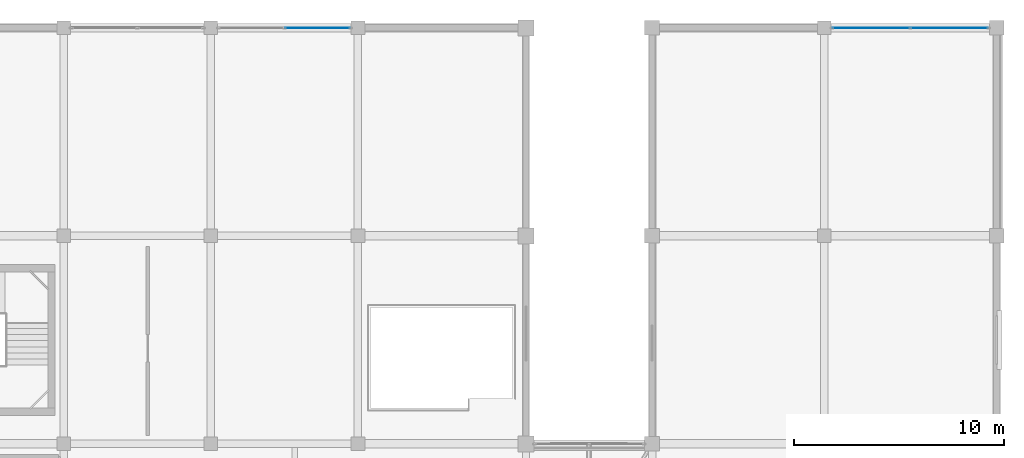
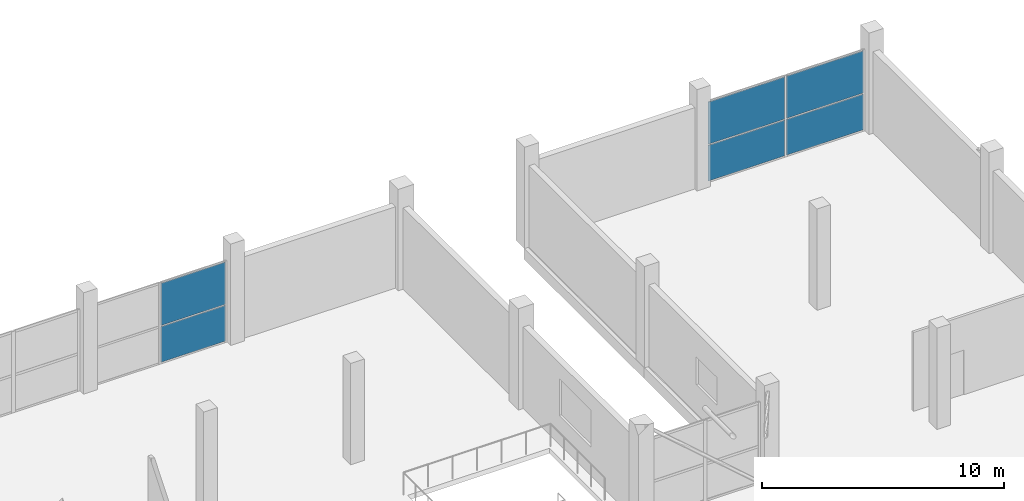
# One storey, part 51 of 67: 6 plates, 2 elements without a shape of their own.
"""IFC4 building model written with IfcOpenShell, lengths in metres."""

from ifc_helpers import new_model, si_unit, direction, frame, origin, origin_2d, place, context, subcontext, project, spatial, rectangle, extrude, material, layer, layer_set, type_object, element, aggregate, save


model = new_model("IFC4")

# Units and contexts
model_context = context("Model", 3, precision=1e-05, world=origin(), true_north=direction((0.0, 1.0)))
body_context = subcontext(model_context, "Body", "Model", "MODEL_VIEW")
ifc_project = project(units=[si_unit("LENGTHUNIT", "METRE"), si_unit("AREAUNIT", "SQUARE_METRE"), si_unit("VOLUMEUNIT", "CUBIC_METRE"), si_unit("PLANEANGLEUNIT", "RADIAN"), si_unit("MASSUNIT", "GRAM", prefix="KILO")], contexts=[model_context])

# Site, building, storey
site_placement = place(None, origin())
site = spatial("IfcSite", under=ifc_project, at=site_placement, CompositionType="ELEMENT")
building_placement = place(site_placement, origin())
building = spatial("IfcBuilding", under=site, at=building_placement, Name="Sillaruma Civic Art Gallery", CompositionType="ELEMENT")
storey_placement = place(building_placement, frame((0.0, 0.0, 46.919921875)))
storey = spatial("IfcBuildingStorey", under=building, at=storey_placement, Name="L09", CompositionType="ELEMENT", Elevation=46.919921875)

# Curtain wall, plates
ifc_material_1 = material(Name="Thermally Broken Extruded Aluminium 6063-T6", Category="aluminium")
ifc_layer_1 = layer(ifc_material_1, 0.159912109375, Name="Thermally Broken Extruded Aluminium 6063-T6")
ifc_layer_set_1 = layer_set([ifc_layer_1], Name="Thermally Broken Extruded Aluminium 6063-T6")
curtain_wall_type_1 = type_object("IfcCurtainWallType", Name="CW-UNI-68", PredefinedType="NOTDEFINED", material=ifc_layer_set_1)
curtain_wall_1_placement = place(storey_placement, origin())
curtain_wall_1 = element("IfcCurtainWall", 1, at=curtain_wall_1_placement, inside=storey, type_object=curtain_wall_type_1, Name="Unitised Curtain Wall CW-68 (CW-L09-WBN-3)", PredefinedType="NOTDEFINED")
ifc_material_2 = material(Name="Low-E UV-Filtered Laminated Insulating Glass", Category="glass")
ifc_layer_2 = layer(ifc_material_2, 0.030029296875, Name="Low-E UV-Filtered Laminated Insulating Glass")
ifc_layer_set_2 = layer_set([ifc_layer_2], Name="Low-E UV-Filtered Laminated Insulating Glass")
plate_type = type_object("IfcPlateType", Name="PNL-GLZ-30", PredefinedType="CURTAIN_PANEL", material=ifc_layer_set_2)
plate_1_placement = place(storey_placement, frame((82.0712890625, 99.0, 0.06005859375), z_axis=(0.0, 0.0, 1.0), x_axis=(1.0, 0.0, 0.0)))
plate_1 = element("IfcPlate", 2, at=plate_1_placement, type_object=plate_type, Name="CW-68 panel 2.1", PredefinedType="CURTAIN_PANEL", context=body_context, shape_type="SweptSolid", body=[
    extrude(rectangle(XDim=3.077392578125, YDim=0.030029296875, at=origin_2d()), origin(), (0.0, 0.0, 1.0), 1.7958984375),
])
plate_2_placement = place(storey_placement, frame((82.0712890625, 99.0, 1.916015625), z_axis=(0.0, 0.0, 1.0), x_axis=(1.0, 0.0, 0.0)))
plate_2 = element("IfcPlate", 3, at=plate_2_placement, type_object=plate_type, Name="CW-68 panel 2.2", PredefinedType="CURTAIN_PANEL", context=body_context, shape_type="SweptSolid", body=[
    extrude(rectangle(XDim=3.077392578125, YDim=0.030029296875, at=origin_2d()), origin(), (0.0, 0.0, 1.0), 2.1240234375),
])
aggregate(curtain_wall_1, [plate_1, plate_2])

ifc_layer_3 = layer(ifc_material_1, 0.159912109375, Name="Thermally Broken Extruded Aluminium 6063-T6")
ifc_layer_set_3 = layer_set([ifc_layer_3], Name="Thermally Broken Extruded Aluminium 6063-T6")
curtain_wall_type_2 = type_object("IfcCurtainWallType", Name="CW-UNI-74", PredefinedType="NOTDEFINED", material=ifc_layer_set_3)
curtain_wall_2_placement = place(storey_placement, origin())
curtain_wall_2 = element("IfcCurtainWall", 4, at=curtain_wall_2_placement, inside=storey, type_object=curtain_wall_type_2, Name="Unitised Curtain Wall CW-74 (CW-L09-EBN-2)", PredefinedType="NOTDEFINED")
plate_3_placement = place(storey_placement, frame((108.422607421875, 99.0, 0.06005859375), z_axis=(0.0, 0.0, 1.0), x_axis=(1.0, 0.0, 0.0)))
plate_3 = element("IfcPlate", 5, at=plate_3_placement, type_object=plate_type, Name="CW-74 panel 1.1", PredefinedType="CURTAIN_PANEL", context=body_context, shape_type="SweptSolid", body=[
    extrude(rectangle(XDim=3.6650390625, YDim=0.030029296875, at=origin_2d()), origin(), (0.0, 0.0, 1.0), 1.7958984375),
])
plate_4_placement = place(storey_placement, frame((108.422607421875, 99.0, 1.916015625), z_axis=(0.0, 0.0, 1.0), x_axis=(1.0, 0.0, 0.0)))
plate_4 = element("IfcPlate", 6, at=plate_4_placement, type_object=plate_type, Name="CW-74 panel 1.2", PredefinedType="CURTAIN_PANEL", context=body_context, shape_type="SweptSolid", body=[
    extrude(rectangle(XDim=3.6650390625, YDim=0.030029296875, at=origin_2d()), origin(), (0.0, 0.0, 1.0), 2.1240234375),
])
plate_5_placement = place(storey_placement, frame((112.152587890625, 99.0, 0.06005859375), z_axis=(0.0, 0.0, 1.0), x_axis=(1.0, 0.0, 0.0)))
plate_5 = element("IfcPlate", 7, at=plate_5_placement, type_object=plate_type, Name="CW-74 panel 2.1", PredefinedType="CURTAIN_PANEL", context=body_context, shape_type="SweptSolid", body=[
    extrude(rectangle(XDim=3.6650390625, YDim=0.030029296875, at=origin_2d()), origin(), (0.0, 0.0, 1.0), 1.7958984375),
])
plate_6_placement = place(storey_placement, frame((112.152587890625, 99.0, 1.916015625), z_axis=(0.0, 0.0, 1.0), x_axis=(1.0, 0.0, 0.0)))
plate_6 = element("IfcPlate", 8, at=plate_6_placement, type_object=plate_type, Name="CW-74 panel 2.2", PredefinedType="CURTAIN_PANEL", context=body_context, shape_type="SweptSolid", body=[
    extrude(rectangle(XDim=3.6650390625, YDim=0.030029296875, at=origin_2d()), origin(), (0.0, 0.0, 1.0), 2.1240234375),
])
aggregate(curtain_wall_2, [plate_3, plate_4, plate_5, plate_6])

save(model, "model.ifc")
